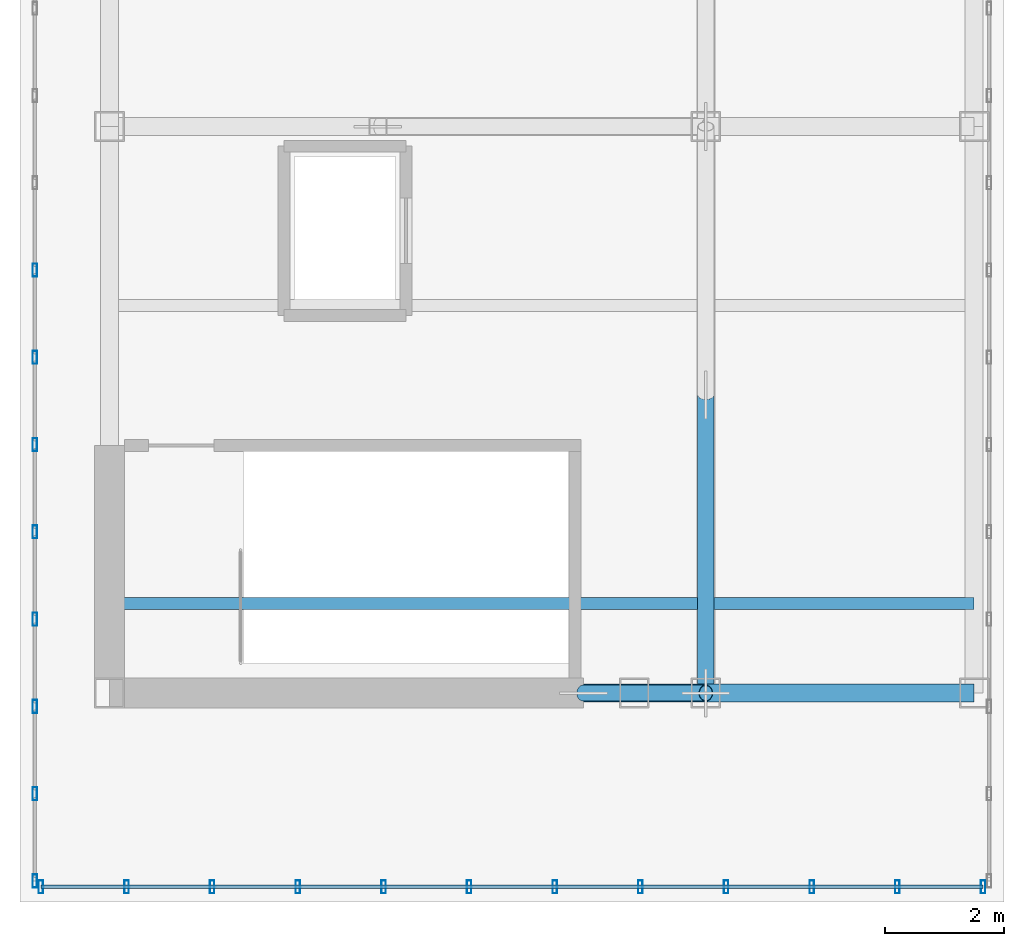
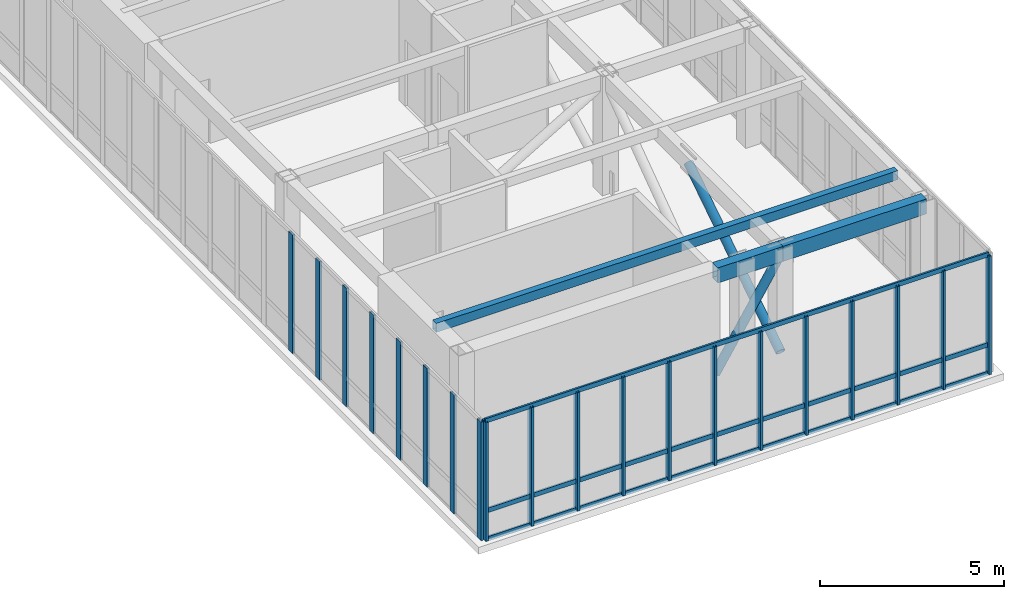
# One storey, part 2 of 13: 26 members, 2 beams, 2 elements without a shape of their own.
"""IFC4 building model written with IfcOpenShell, lengths in metres."""

from ifc_helpers import new_model, si_unit, direction, frame, origin, origin_2d, place, context, subcontext, project, spatial, hollow_rectangle, hollow_circle, extrude, source, transform, mapped, material, layer, layer_set, material_profile, profile_set, type_object, element, aggregate, save


model = new_model("IFC4")

# Units and contexts
model_context = context("Model", 3, precision=1e-05, world=origin(), true_north=direction((0.0, 1.0)))
body_context = subcontext(model_context, "Body", "Model", "MODEL_VIEW")
ifc_project = project(units=[si_unit("LENGTHUNIT", "METRE"), si_unit("AREAUNIT", "SQUARE_METRE"), si_unit("VOLUMEUNIT", "CUBIC_METRE"), si_unit("PLANEANGLEUNIT", "RADIAN"), si_unit("MASSUNIT", "GRAM", prefix="KILO")], contexts=[model_context])

# Site, building, storey
site_placement = place(None, origin())
site = spatial("IfcSite", under=ifc_project, at=site_placement, CompositionType="ELEMENT")
building_placement = place(site_placement, origin())
building = spatial("IfcBuilding", under=site, at=building_placement, Name="Kharzan Plaza Tower", CompositionType="ELEMENT")
storey_placement = place(building_placement, frame((0.0, 0.0, 298.199951171875)))
storey = spatial("IfcBuildingStorey", under=building, at=storey_placement, Name="L80-CROWN", CompositionType="ELEMENT", Elevation=298.199951171875)

# Beams
ifc_material_1 = material(Name="Steel S355", Category="steel")
ifc_material_profile_1 = material_profile(ifc_material_1, hollow_rectangle(XDim=0.300048828125, YDim=0.5, WallThickness=0.02001953125, at=origin_2d()), Name="RHS500x300x20")
ifc_profile_set_1 = profile_set([ifc_material_profile_1], Name="Steel S355")
beam_type = type_object("IfcBeamType", Name="BM-CRN500", PredefinedType="BEAM", material=ifc_profile_set_1)
shared_shape_1 = source(origin(), body_context, "Body", "SweptSolid", [
    extrude(hollow_rectangle(XDim=0.300048828125, YDim=0.5, WallThickness=0.02001953125, at=origin_2d()), origin(), (0.0, 0.0, 1.0), 4.5),
])
beam_1_placement = place(storey_placement, frame((14.5, 8.5, 3.68994140625), z_axis=(1.0, 0.0, 0.0), x_axis=(0.0, 1.0, 0.0)))
element("IfcBeam", 1, at=beam_1_placement, inside=storey, type_object=beam_type, Name="L80-CROWN CROWN FRAME Lantern Ring Beam CRB-S3", PredefinedType="BEAM", context=body_context, shape_type="MappedRepresentation", body=[
    mapped(shared_shape_1, transform((0.0, 0.0, 0.0), x_axis=(1.0, 0.0, 0.0), y_axis=(0.0, 1.0, 0.0), z_axis=(0.0, 0.0, 1.0))),
])
shared_shape_2 = source(origin(), body_context, "Body", "SweptSolid", [
    extrude(hollow_rectangle(XDim=0.300048828125, YDim=0.5, WallThickness=0.02001953125, at=origin_2d()), origin(), (0.0, 0.0, 1.0), 2.050048828125),
])
beam_2_placement = place(storey_placement, frame((12.449951171875, 8.5, 3.68994140625), z_axis=(1.0, 0.0, 0.0), x_axis=(0.0, 1.0, 0.0)))
element("IfcBeam", 2, at=beam_2_placement, inside=storey, type_object=beam_type, Name="L80-CROWN CROWN FRAME Lantern Ring Beam CRB-S2", PredefinedType="BEAM", context=body_context, shape_type="MappedRepresentation", body=[
    mapped(shared_shape_2, transform((0.0, 0.0, 0.0), x_axis=(1.0, 0.0, 0.0), y_axis=(0.0, 1.0, 0.0), z_axis=(0.0, 0.0, 1.0))),
])

# Curtain wall, members
ifc_material_2 = material(Name="Unitised Bronze-Anodized Aluminium and Low-E Glass", Category="aluminium")
ifc_layer = layer(ifc_material_2, 0.199951171875)
ifc_layer_set = layer_set([ifc_layer], Name="Unitised Bronze-Anodized Aluminium and Low-E Glass")
curtain_wall_type = type_object("IfcCurtainWallType", Name="CW-LANTERN-6", PredefinedType="NOTDEFINED", material=ifc_layer_set)
curtain_wall_1_placement = place(storey_placement, origin())
curtain_wall_1 = element("IfcCurtainWall", 3, at=curtain_wall_1_placement, inside=storey, type_object=curtain_wall_type, Name="L80-CROWN Lantern Crown Illuminated Curtain Wall 1", PredefinedType="NOTDEFINED")
ifc_material_3 = material(Name="Anodized Bronze Aluminium", Category="aluminium")
ifc_material_profile_2 = material_profile(ifc_material_3, hollow_rectangle(XDim=0.06005859375, YDim=0.14990234375, WallThickness=0.00341796875, at=origin_2d()), Name="ALU-T150x60x3.5")
ifc_profile_set_2 = profile_set([ifc_material_profile_2], Name="Anodized Bronze Aluminium")
member_type_1 = type_object("IfcMemberType", Name="MEM-CW-TRN150", PredefinedType="USERDEFINED", material=ifc_profile_set_2)
shared_shape_3 = source(origin(), body_context, "Body", "SweptSolid", [
    extrude(hollow_rectangle(XDim=0.06005859375, YDim=0.14990234375, WallThickness=0.00341796875, at=origin_2d()), origin(), (0.0, 0.0, 1.0), 15.7998046875),
])
member_1_placement = place(storey_placement, frame((3.35009765625, 5.25, 0.0), z_axis=(1.0, 0.0, 0.0), x_axis=(0.0, 1.0, 0.0)))
member_1 = element("IfcMember", 4, at=member_1_placement, type_object=member_type_1, Name="L80-CROWN Curtain-Wall Transom 1", ObjectType="TRANSOM", PredefinedType="USERDEFINED", context=body_context, shape_type="MappedRepresentation", body=[
    mapped(shared_shape_3, transform((0.0, 0.0, 0.0), x_axis=(1.0, 0.0, 0.0), y_axis=(0.0, 1.0, 0.0), z_axis=(0.0, 0.0, 1.0))),
])
member_2_placement = place(storey_placement, frame((3.35009765625, 5.25, 0.949951171875), z_axis=(1.0, 0.0, 0.0), x_axis=(0.0, 1.0, 0.0)))
member_2 = element("IfcMember", 5, at=member_2_placement, type_object=member_type_1, Name="L80-CROWN Curtain-Wall Transom 2", ObjectType="TRANSOM", PredefinedType="USERDEFINED", context=body_context, shape_type="MappedRepresentation", body=[
    mapped(shared_shape_3, transform((0.0, 0.0, 0.0), x_axis=(1.0, 0.0, 0.0), y_axis=(0.0, 1.0, 0.0), z_axis=(0.0, 0.0, 1.0))),
])
member_3_placement = place(storey_placement, frame((3.35009765625, 5.25, 3.93994140625), z_axis=(1.0, 0.0, 0.0), x_axis=(0.0, 1.0, 0.0)))
member_3 = element("IfcMember", 6, at=member_3_placement, type_object=member_type_1, Name="L80-CROWN Curtain-Wall Transom 3", ObjectType="TRANSOM", PredefinedType="USERDEFINED", context=body_context, shape_type="MappedRepresentation", body=[
    mapped(shared_shape_3, transform((0.0, 0.0, 0.0), x_axis=(1.0, 0.0, 0.0), y_axis=(0.0, 1.0, 0.0), z_axis=(0.0, 0.0, 1.0))),
])

# Members
ifc_material_profile_3 = material_profile(ifc_material_1, hollow_circle(Radius=0.136474609375, WallThickness=0.010009765625, at=origin_2d()), Name="CHS273x10")
ifc_profile_set_3 = profile_set([ifc_material_profile_3], Name="Steel S355")
member_type_2 = type_object("IfcMemberType", Name="MEM-CRN-DIAG", PredefinedType="BRACE", material=ifc_profile_set_3)
shared_shape_4 = source(origin(), body_context, "Body", "SweptSolid", [
    extrude(hollow_circle(Radius=0.136474609375, WallThickness=0.010009765625, at=origin_2d()), origin(), (0.0, 0.0, 1.0), 3.833984375),
])
member_4_placement = place(storey_placement, frame((12.449951171875, 8.5, 0.35009765625), z_axis=(0.534689970875, 0.0, 0.84504830338), x_axis=(0.0, 1.0, 0.0)))
element("IfcMember", 7, at=member_4_placement, inside=storey, type_object=member_type_2, Name="L80-CROWN CROWN FRAME Diagonal Wind Brace CRD-N2", PredefinedType="BRACE", context=body_context, shape_type="MappedRepresentation", body=[
    mapped(shared_shape_4, transform((0.0, 0.0, 0.0), x_axis=(1.0, 0.0, 0.0), y_axis=(0.0, 1.0, 0.0), z_axis=(0.0, 0.0, 1.0))),
])
shared_shape_5 = source(origin(), body_context, "Body", "SweptSolid", [
    extrude(hollow_circle(Radius=0.136474609375, WallThickness=0.010009765625, at=origin_2d()), origin(), (0.0, 0.0, 1.0), 5.9580078125),
])
member_5_placement = place(storey_placement, frame((14.5, 8.5, 0.35009765625), z_axis=(0.0, 0.839210474455, 0.543806748364), x_axis=(-1.0, 0.0, 0.0)))
element("IfcMember", 8, at=member_5_placement, inside=storey, type_object=member_type_2, Name="L80-CROWN CROWN FRAME Diagonal Wind Brace CRD-S1", PredefinedType="BRACE", context=body_context, shape_type="MappedRepresentation", body=[
    mapped(shared_shape_5, transform((0.0, 0.0, 0.0), x_axis=(1.0, 0.0, 0.0), y_axis=(0.0, 1.0, 0.0), z_axis=(0.0, 0.0, 1.0))),
])

# Member
ifc_material_profile_4 = material_profile(ifc_material_3, hollow_rectangle(XDim=0.074951171875, YDim=0.219970703125, WallThickness=0.00390625, at=origin_2d()), Name="ALU-M220x75x4")
ifc_profile_set_4 = profile_set([ifc_material_profile_4], Name="Anodized Bronze Aluminium")
member_type_3 = type_object("IfcMemberType", Name="MEM-CW-MUL200", PredefinedType="MULLION", material=ifc_profile_set_4)
shared_shape_6 = source(origin(), body_context, "Body", "SweptSolid", [
    extrude(hollow_rectangle(XDim=0.074951171875, YDim=0.219970703125, WallThickness=0.00390625, at=origin_2d()), origin(), (0.0, 0.0, 1.0), 3.93994140625),
])
member_6_placement = place(storey_placement, frame((3.35009765625, 5.25, 0.0), z_axis=(0.0, 0.0, 1.0), x_axis=(1.0, 0.0, 0.0)))
member_6 = element("IfcMember", 9, at=member_6_placement, type_object=member_type_3, Name="L80-CROWN Curtain-Wall Mullion 00", PredefinedType="MULLION", context=body_context, shape_type="MappedRepresentation", body=[
    mapped(shared_shape_6, transform((0.0, 0.0, 0.0), x_axis=(1.0, 0.0, 0.0), y_axis=(0.0, 1.0, 0.0), z_axis=(0.0, 0.0, 1.0))),
])

member_7_placement = place(storey_placement, frame((4.786376953125, 5.25, 0.0), z_axis=(0.0, 0.0, 1.0), x_axis=(1.0, 0.0, 0.0)))
member_7 = element("IfcMember", 10, at=member_7_placement, type_object=member_type_3, Name="L80-CROWN Curtain-Wall Mullion 01", PredefinedType="MULLION", context=body_context, shape_type="MappedRepresentation", body=[
    mapped(shared_shape_6, transform((0.0, 0.0, 0.0), x_axis=(1.0, 0.0, 0.0), y_axis=(0.0, 1.0, 0.0), z_axis=(0.0, 0.0, 1.0))),
])

member_8_placement = place(storey_placement, frame((6.22265625, 5.25, 0.0), z_axis=(0.0, 0.0, 1.0), x_axis=(1.0, 0.0, 0.0)))
member_8 = element("IfcMember", 11, at=member_8_placement, type_object=member_type_3, Name="L80-CROWN Curtain-Wall Mullion 02", PredefinedType="MULLION", context=body_context, shape_type="MappedRepresentation", body=[
    mapped(shared_shape_6, transform((0.0, 0.0, 0.0), x_axis=(1.0, 0.0, 0.0), y_axis=(0.0, 1.0, 0.0), z_axis=(0.0, 0.0, 1.0))),
])

member_9_placement = place(storey_placement, frame((7.6591796875, 5.25, 0.0), z_axis=(0.0, 0.0, 1.0), x_axis=(1.0, 0.0, 0.0)))
member_9 = element("IfcMember", 12, at=member_9_placement, type_object=member_type_3, Name="L80-CROWN Curtain-Wall Mullion 03", PredefinedType="MULLION", context=body_context, shape_type="MappedRepresentation", body=[
    mapped(shared_shape_6, transform((0.0, 0.0, 0.0), x_axis=(1.0, 0.0, 0.0), y_axis=(0.0, 1.0, 0.0), z_axis=(0.0, 0.0, 1.0))),
])

member_10_placement = place(storey_placement, frame((9.095458984375, 5.25, 0.0), z_axis=(0.0, 0.0, 1.0), x_axis=(1.0, 0.0, 0.0)))
member_10 = element("IfcMember", 13, at=member_10_placement, type_object=member_type_3, Name="L80-CROWN Curtain-Wall Mullion 04", PredefinedType="MULLION", context=body_context, shape_type="MappedRepresentation", body=[
    mapped(shared_shape_6, transform((0.0, 0.0, 0.0), x_axis=(1.0, 0.0, 0.0), y_axis=(0.0, 1.0, 0.0), z_axis=(0.0, 0.0, 1.0))),
])

member_11_placement = place(storey_placement, frame((10.53173828125, 5.25, 0.0), z_axis=(0.0, 0.0, 1.0), x_axis=(1.0, 0.0, 0.0)))
member_11 = element("IfcMember", 14, at=member_11_placement, type_object=member_type_3, Name="L80-CROWN Curtain-Wall Mullion 05", PredefinedType="MULLION", context=body_context, shape_type="MappedRepresentation", body=[
    mapped(shared_shape_6, transform((0.0, 0.0, 0.0), x_axis=(1.0, 0.0, 0.0), y_axis=(0.0, 1.0, 0.0), z_axis=(0.0, 0.0, 1.0))),
])

member_12_placement = place(storey_placement, frame((11.96826171875, 5.25, 0.0), z_axis=(0.0, 0.0, 1.0), x_axis=(1.0, 0.0, 0.0)))
member_12 = element("IfcMember", 15, at=member_12_placement, type_object=member_type_3, Name="L80-CROWN Curtain-Wall Mullion 06", PredefinedType="MULLION", context=body_context, shape_type="MappedRepresentation", body=[
    mapped(shared_shape_6, transform((0.0, 0.0, 0.0), x_axis=(1.0, 0.0, 0.0), y_axis=(0.0, 1.0, 0.0), z_axis=(0.0, 0.0, 1.0))),
])

member_13_placement = place(storey_placement, frame((13.404541015625, 5.25, 0.0), z_axis=(0.0, 0.0, 1.0), x_axis=(1.0, 0.0, 0.0)))
member_13 = element("IfcMember", 16, at=member_13_placement, type_object=member_type_3, Name="L80-CROWN Curtain-Wall Mullion 07", PredefinedType="MULLION", context=body_context, shape_type="MappedRepresentation", body=[
    mapped(shared_shape_6, transform((0.0, 0.0, 0.0), x_axis=(1.0, 0.0, 0.0), y_axis=(0.0, 1.0, 0.0), z_axis=(0.0, 0.0, 1.0))),
])

member_14_placement = place(storey_placement, frame((14.8408203125, 5.25, 0.0), z_axis=(0.0, 0.0, 1.0), x_axis=(1.0, 0.0, 0.0)))
member_14 = element("IfcMember", 17, at=member_14_placement, type_object=member_type_3, Name="L80-CROWN Curtain-Wall Mullion 08", PredefinedType="MULLION", context=body_context, shape_type="MappedRepresentation", body=[
    mapped(shared_shape_6, transform((0.0, 0.0, 0.0), x_axis=(1.0, 0.0, 0.0), y_axis=(0.0, 1.0, 0.0), z_axis=(0.0, 0.0, 1.0))),
])

member_15_placement = place(storey_placement, frame((16.27734375, 5.25, 0.0), z_axis=(0.0, 0.0, 1.0), x_axis=(1.0, 0.0, 0.0)))
member_15 = element("IfcMember", 18, at=member_15_placement, type_object=member_type_3, Name="L80-CROWN Curtain-Wall Mullion 09", PredefinedType="MULLION", context=body_context, shape_type="MappedRepresentation", body=[
    mapped(shared_shape_6, transform((0.0, 0.0, 0.0), x_axis=(1.0, 0.0, 0.0), y_axis=(0.0, 1.0, 0.0), z_axis=(0.0, 0.0, 1.0))),
])

member_16_placement = place(storey_placement, frame((17.713623046875, 5.25, 0.0), z_axis=(0.0, 0.0, 1.0), x_axis=(1.0, 0.0, 0.0)))
member_16 = element("IfcMember", 19, at=member_16_placement, type_object=member_type_3, Name="L80-CROWN Curtain-Wall Mullion 10", PredefinedType="MULLION", context=body_context, shape_type="MappedRepresentation", body=[
    mapped(shared_shape_6, transform((0.0, 0.0, 0.0), x_axis=(1.0, 0.0, 0.0), y_axis=(0.0, 1.0, 0.0), z_axis=(0.0, 0.0, 1.0))),
])

member_17_placement = place(storey_placement, frame((19.14990234375, 5.25, 0.0), z_axis=(0.0, 0.0, 1.0), x_axis=(1.0, 0.0, 0.0)))
member_17 = element("IfcMember", 20, at=member_17_placement, type_object=member_type_3, Name="L80-CROWN Curtain-Wall Mullion 11", PredefinedType="MULLION", context=body_context, shape_type="MappedRepresentation", body=[
    mapped(shared_shape_6, transform((0.0, 0.0, 0.0), x_axis=(1.0, 0.0, 0.0), y_axis=(0.0, 1.0, 0.0), z_axis=(0.0, 0.0, 1.0))),
])

aggregate(curtain_wall_1, [member_6, member_7, member_8, member_9, member_10, member_11, member_12, member_13, member_14, member_15, member_16, member_17, member_1, member_2, member_3])

# Curtain wall, members
curtain_wall_2_placement = place(storey_placement, origin())
curtain_wall_2 = element("IfcCurtainWall", 21, at=curtain_wall_2_placement, inside=storey, type_object=curtain_wall_type, Name="L80-CROWN Lantern Crown Illuminated Curtain Wall 4", PredefinedType="NOTDEFINED")
member_18_placement = place(storey_placement, frame((3.25, 15.592041015625, 0.0), z_axis=(0.0, 0.0, 1.0), x_axis=(1.0, 0.0, 0.0)))
member_18 = element("IfcMember", 22, at=member_18_placement, type_object=member_type_3, Name="L80-CROWN Curtain-Wall Mullion 12", PredefinedType="MULLION", context=body_context, shape_type="MappedRepresentation", body=[
    mapped(shared_shape_6, transform((0.0, 0.0, 0.0), x_axis=(1.0, 0.0, 0.0), y_axis=(0.0, 1.0, 0.0), z_axis=(0.0, 0.0, 1.0))),
])
member_19_placement = place(storey_placement, frame((3.25, 14.12890625, 0.0), z_axis=(0.0, 0.0, 1.0), x_axis=(1.0, 0.0, 0.0)))
member_19 = element("IfcMember", 23, at=member_19_placement, type_object=member_type_3, Name="L80-CROWN Curtain-Wall Mullion 13", PredefinedType="MULLION", context=body_context, shape_type="MappedRepresentation", body=[
    mapped(shared_shape_6, transform((0.0, 0.0, 0.0), x_axis=(1.0, 0.0, 0.0), y_axis=(0.0, 1.0, 0.0), z_axis=(0.0, 0.0, 1.0))),
])
member_20_placement = place(storey_placement, frame((3.25, 12.665771484375, 0.0), z_axis=(0.0, 0.0, 1.0), x_axis=(1.0, 0.0, 0.0)))
member_20 = element("IfcMember", 24, at=member_20_placement, type_object=member_type_3, Name="L80-CROWN Curtain-Wall Mullion 14", PredefinedType="MULLION", context=body_context, shape_type="MappedRepresentation", body=[
    mapped(shared_shape_6, transform((0.0, 0.0, 0.0), x_axis=(1.0, 0.0, 0.0), y_axis=(0.0, 1.0, 0.0), z_axis=(0.0, 0.0, 1.0))),
])
member_21_placement = place(storey_placement, frame((3.25, 11.20263671875, 0.0), z_axis=(0.0, 0.0, 1.0), x_axis=(1.0, 0.0, 0.0)))
member_21 = element("IfcMember", 25, at=member_21_placement, type_object=member_type_3, Name="L80-CROWN Curtain-Wall Mullion 15", PredefinedType="MULLION", context=body_context, shape_type="MappedRepresentation", body=[
    mapped(shared_shape_6, transform((0.0, 0.0, 0.0), x_axis=(1.0, 0.0, 0.0), y_axis=(0.0, 1.0, 0.0), z_axis=(0.0, 0.0, 1.0))),
])
member_22_placement = place(storey_placement, frame((3.25, 9.739501953125, 0.0), z_axis=(0.0, 0.0, 1.0), x_axis=(1.0, 0.0, 0.0)))
member_22 = element("IfcMember", 26, at=member_22_placement, type_object=member_type_3, Name="L80-CROWN Curtain-Wall Mullion 16", PredefinedType="MULLION", context=body_context, shape_type="MappedRepresentation", body=[
    mapped(shared_shape_6, transform((0.0, 0.0, 0.0), x_axis=(1.0, 0.0, 0.0), y_axis=(0.0, 1.0, 0.0), z_axis=(0.0, 0.0, 1.0))),
])
member_23_placement = place(storey_placement, frame((3.25, 8.2763671875, 0.0), z_axis=(0.0, 0.0, 1.0), x_axis=(1.0, 0.0, 0.0)))
member_23 = element("IfcMember", 27, at=member_23_placement, type_object=member_type_3, Name="L80-CROWN Curtain-Wall Mullion 17", PredefinedType="MULLION", context=body_context, shape_type="MappedRepresentation", body=[
    mapped(shared_shape_6, transform((0.0, 0.0, 0.0), x_axis=(1.0, 0.0, 0.0), y_axis=(0.0, 1.0, 0.0), z_axis=(0.0, 0.0, 1.0))),
])
member_24_placement = place(storey_placement, frame((3.25, 6.813232421875, 0.0), z_axis=(0.0, 0.0, 1.0), x_axis=(1.0, 0.0, 0.0)))
member_24 = element("IfcMember", 28, at=member_24_placement, type_object=member_type_3, Name="L80-CROWN Curtain-Wall Mullion 18", PredefinedType="MULLION", context=body_context, shape_type="MappedRepresentation", body=[
    mapped(shared_shape_6, transform((0.0, 0.0, 0.0), x_axis=(1.0, 0.0, 0.0), y_axis=(0.0, 1.0, 0.0), z_axis=(0.0, 0.0, 1.0))),
])
member_25_placement = place(storey_placement, frame((3.25, 5.35009765625, 0.0), z_axis=(0.0, 0.0, 1.0), x_axis=(1.0, 0.0, 0.0)))
member_25 = element("IfcMember", 29, at=member_25_placement, type_object=member_type_3, Name="L80-CROWN Curtain-Wall Mullion 19", PredefinedType="MULLION", context=body_context, shape_type="MappedRepresentation", body=[
    mapped(shared_shape_6, transform((0.0, 0.0, 0.0), x_axis=(1.0, 0.0, 0.0), y_axis=(0.0, 1.0, 0.0), z_axis=(0.0, 0.0, 1.0))),
])
aggregate(curtain_wall_2, [member_18, member_19, member_20, member_21, member_22, member_23, member_24, member_25])

# Member
ifc_material_profile_5 = material_profile(ifc_material_1, hollow_rectangle(XDim=0.199951171875, YDim=0.300048828125, WallThickness=0.012451171875, at=origin_2d()), Name="RHS300x200x12.5")
ifc_profile_set_5 = profile_set([ifc_material_profile_5], Name="Steel S355")
member_type_4 = type_object("IfcMemberType", Name="MEM-PRL-300", PredefinedType="CHORD", material=ifc_profile_set_5)
shared_shape_7 = source(origin(), body_context, "Body", "SweptSolid", [
    extrude(hollow_rectangle(XDim=0.199951171875, YDim=0.300048828125, WallThickness=0.012451171875, at=origin_2d()), origin(), (0.0, 0.0, 1.0), 14.5),
])
member_26_placement = place(storey_placement, frame((4.5, 10.0, 3.7900390625), z_axis=(1.0, 0.0, 0.0), x_axis=(0.0, 1.0, 0.0)))
element("IfcMember", 30, at=member_26_placement, inside=storey, type_object=member_type_4, Name="L80-CROWN CROWN FRAME Roof Support Chord 1", PredefinedType="CHORD", context=body_context, shape_type="MappedRepresentation", body=[
    mapped(shared_shape_7, transform((0.0, 0.0, 0.0), x_axis=(1.0, 0.0, 0.0), y_axis=(0.0, 1.0, 0.0), z_axis=(0.0, 0.0, 1.0))),
])

save(model, "model.ifc")
